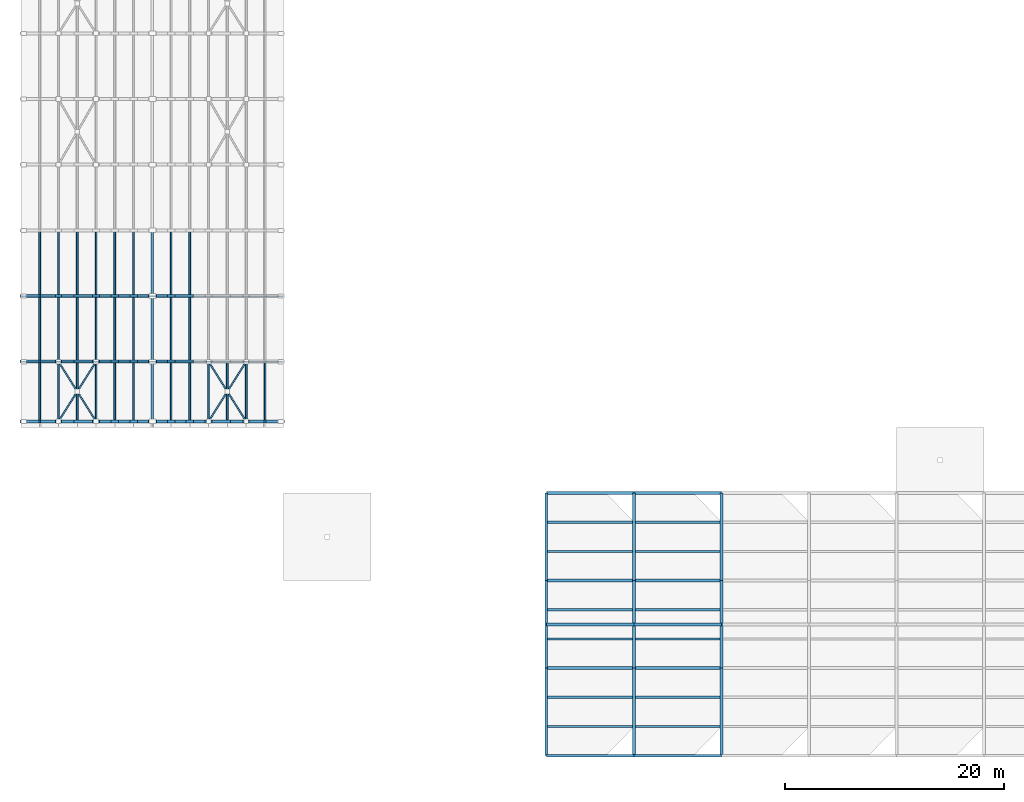
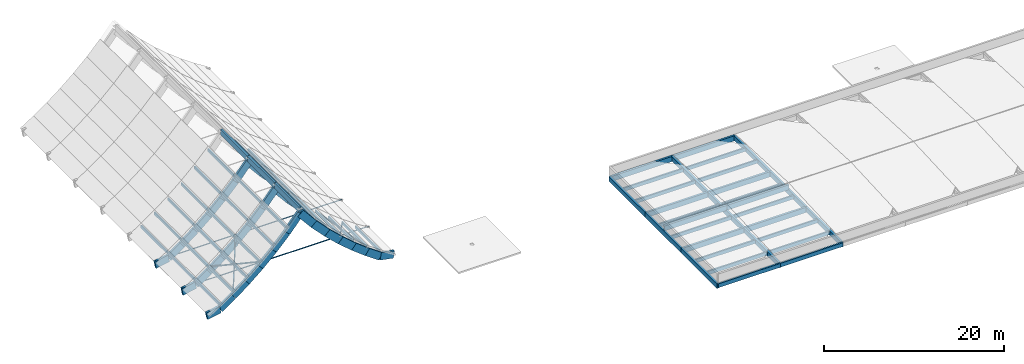
# One storey, part 1 of 7: 68 members, 34 beams.
"""IFC4 building model written with IfcOpenShell, lengths in metres."""

import ifcopenshell
import ifcopenshell.guid

model = None  # the IFC model being written
_history = None  # IfcOwnerHistory: only IFC2X3 demands one
_inside = {}  # id of a spatial element -> (the spatial element, [elements in it])
_under = {}  # id of a project, library or spatial element -> (it, [spatial elements below it])
_declared = {}  # id of a project -> (the project, [libraries it declares])
_typed = {}  # id of a type object -> (the type object, [elements of that type])
_made_of = {}  # id of a material, layer set ... -> (it, [elements and type objects made of it])


def new_model(schema):
    """Start an empty IFC model of exactly this schema.

    Asked for "IFC4X3", IfcOpenShell would pick the latest addendum, in which some entities
    have other attributes; the version numbers below select the first issue.
    IFC2X3 requires an IfcOwnerHistory on every rooted entity: one is made here for all.
    """
    global model, _history
    if schema == "IFC4X3":
        model = ifcopenshell.file(schema_version=(4, 3, 0, 0))
    else:
        model = ifcopenshell.file(schema=schema)
    _inside.clear()
    _under.clear()
    _declared.clear()
    _typed.clear()
    _made_of.clear()
    _history = None
    if model.schema == "IFC2X3":
        org = make("IfcOrganization", Name="unknown")
        user = make(
            "IfcPersonAndOrganization",
            ThePerson=make("IfcPerson", FamilyName="unknown"),
            TheOrganization=org,
        )
        app = make(
            "IfcApplication",
            ApplicationDeveloper=org,
            Version="unknown",
            ApplicationFullName="unknown",
            ApplicationIdentifier="unknown",
        )
        _history = make(
            "IfcOwnerHistory",
            OwningUser=user,
            OwningApplication=app,
            ChangeAction="ADDED",
            CreationDate=0,
        )
    return model


def make(cls, **values):
    """One entity of the class cls with the attributes given. An attribute that is None is left unset."""
    return model.create_entity(
        cls, **{name: value for name, value in values.items() if value is not None}
    )


def rooted(cls, **values):
    """An entity with a GlobalId (a new one), such as an element, a storey or a relation."""
    return make(cls, GlobalId=ifcopenshell.guid.new(), OwnerHistory=_history, **values)


def si_unit(unit_type, name, prefix=None):
    """IfcSIUnit, for example si_unit("LENGTHUNIT", "METRE", prefix="MILLI")."""
    return make("IfcSIUnit", UnitType=unit_type, Prefix=prefix, Name=name)


def assignment(units):
    """IfcUnitAssignment: the units of a project."""
    return None if units is None else make("IfcUnitAssignment", Units=units)


def point(xyz):
    """IfcCartesianPoint."""
    return None if xyz is None else make("IfcCartesianPoint", Coordinates=xyz)


def direction(xyz):
    """IfcDirection."""
    return None if xyz is None else make("IfcDirection", DirectionRatios=xyz)


def frame(location, z_axis=None, x_axis=None):
    """IfcAxis2Placement3D, a coordinate frame: its origin and axes. An axis left out is left unset."""
    return make(
        "IfcAxis2Placement3D",
        Location=point(location),
        Axis=direction(z_axis),
        RefDirection=direction(x_axis),
    )


def frame_2d(location, x_axis=None):
    """IfcAxis2Placement2D, a coordinate frame in the plane: its origin and x axis."""
    return make(
        "IfcAxis2Placement2D", Location=point(location), RefDirection=direction(x_axis)
    )


def origin():
    """The frame at (0, 0, 0) with its axes left unset."""
    return frame((0.0, 0.0, 0.0))


def origin_2d():
    """The frame at (0, 0) in the plane with its x axis left unset."""
    return frame_2d((0.0, 0.0))


def place(relative_to, where):
    """IfcLocalPlacement: puts the frame where relative to a parent placement (None: the world)."""
    return make(
        "IfcLocalPlacement", PlacementRelTo=relative_to, RelativePlacement=where
    )


def context(
    kind, dimensions, precision=None, world=None, true_north=None, identifier=None
):
    """IfcGeometricRepresentationContext, for example the 3D "Model" context."""
    return make(
        "IfcGeometricRepresentationContext",
        ContextIdentifier=identifier,
        ContextType=kind,
        CoordinateSpaceDimension=dimensions,
        Precision=precision,
        WorldCoordinateSystem=world,
        TrueNorth=true_north,
    )


def subcontext(parent, identifier, kind, view, scale=None):
    """IfcGeometricRepresentationSubContext, for example "Body" below "Model"."""
    return make(
        "IfcGeometricRepresentationSubContext",
        ContextIdentifier=identifier,
        ContextType=kind,
        ParentContext=parent,
        TargetScale=scale,
        TargetView=view,
    )


def project(units=None, contexts=None):
    """IfcProject with its units and contexts."""
    return rooted(
        "IfcProject",
        Name="project",
        RepresentationContexts=contexts,
        UnitsInContext=assignment(units),
    )


def spatial(cls, under=None, at=None, **own):
    """A site, building, storey or space (cls), placed at a placement, below another one or the project."""
    s = rooted(cls, ObjectPlacement=at, **own)
    if under is not None:
        _under.setdefault(under.id(), (under, []))[1].append(s)
    return s


def profile(cls, at=None, kind="AREA", **sizes):
    """A parametric profile (cls). Its sizes go by their IFC names, for example OverallWidth=200.0."""
    return make(cls, ProfileType=kind, Position=at, **sizes)


def rectangle(**sizes):
    """IfcRectangleProfileDef."""
    return profile("IfcRectangleProfileDef", **sizes)


def hollow_rectangle(**sizes):
    """IfcRectangleHollowProfileDef."""
    return profile("IfcRectangleHollowProfileDef", **sizes)


def hollow_circle(**sizes):
    """IfcCircleHollowProfileDef."""
    return profile("IfcCircleHollowProfileDef", **sizes)


def extrude(swept, where, along, depth):
    """IfcExtrudedAreaSolid: the profile swept, set in the frame where, extruded along a direction by depth."""
    return make(
        "IfcExtrudedAreaSolid",
        SweptArea=swept,
        Position=where,
        ExtrudedDirection=direction(along),
        Depth=depth,
    )


def shape(context_of_items, identifier, shape_type, items):
    """IfcShapeRepresentation: the items that make up one representation, for example the "Body"."""
    return make(
        "IfcShapeRepresentation",
        ContextOfItems=context_of_items,
        RepresentationIdentifier=identifier,
        RepresentationType=shape_type,
        Items=items,
    )


def material(Name=None, Category=None):
    """IfcMaterial."""
    return make("IfcMaterial", Name=Name, Category=Category)


def material_profile(
    of_material, cross_section, Name=None, Category=None, Priority=None
):
    """IfcMaterialProfile: a cross section and its material."""
    return make(
        "IfcMaterialProfile",
        Name=Name,
        Material=of_material,
        Profile=cross_section,
        Priority=Priority,
        Category=Category,
    )


def profile_set(profiles, Name=None, composite=None):
    """IfcMaterialProfileSet."""
    return make(
        "IfcMaterialProfileSet",
        Name=Name,
        MaterialProfiles=profiles,
        CompositeProfile=composite,
    )


def made_of(thing, what):
    """Note that an element or type object is made of a material, layer set ...; save() writes the relation."""
    if what is not None:
        _made_of.setdefault(what.id(), (what, []))[1].append(thing)
    return thing


def type_object(cls, material=None, **own):
    """A type object (cls), such as IfcWallType, which elements share."""
    return made_of(rooted(cls, **own), material)


def element(
    cls,
    number,
    at=None,
    inside=None,
    cuts=None,
    type_object=None,
    material=None,
    context=None,
    identifier="Body",
    shape_type=None,
    held_by="IfcProductDefinitionShape",
    body=None,
    shapes=None,
    **own,
):
    """One element of the class cls, such as IfcWall. Its Tag is "e" and its number.

    at: its placement. inside: the storey or other place that contains it. cuts: it is an
    opening in that element (IfcRelVoidsElement). A single representation is given by context,
    identifier, shape_type and body (its items); several are given by shapes. held_by: the class
    of the entity that holds the representations. save() writes the other relations.
    """
    e = rooted(cls, Tag="e%d" % number, ObjectPlacement=at, **own)
    if body is not None:
        shapes = [shape(context, identifier, shape_type, body)]
    if shapes is not None:
        e.Representation = make(held_by, Representations=shapes)
    if inside is not None:
        _inside.setdefault(inside.id(), (inside, []))[1].append(e)
    if cuts is not None:
        rooted(
            "IfcRelVoidsElement", RelatingBuildingElement=cuts, RelatedOpeningElement=e
        )
    if type_object is not None:
        _typed.setdefault(type_object.id(), (type_object, []))[1].append(e)
    return made_of(e, material)


def aggregate(whole, parts):
    """IfcRelAggregates: a whole, such as a stair, and the parts it consists of."""
    return rooted("IfcRelAggregates", RelatingObject=whole, RelatedObjects=parts)


def save(model, path):
    """Write the relations noted so far, then the file.

    IfcRelAggregates (storeys below a building ...), IfcRelContainedInSpatialStructure (elements
    in a storey), IfcRelDefinesByType, IfcRelAssociatesMaterial and IfcRelDeclares: one each for
    every whole, place, type object, material and project.
    """
    for whole, parts in _under.values():
        aggregate(whole, parts)
    for where, things in _inside.values():
        rooted(
            "IfcRelContainedInSpatialStructure",
            RelatedElements=things,
            RelatingStructure=where,
        )
    for kind, things in _typed.values():
        rooted("IfcRelDefinesByType", RelatedObjects=things, RelatingType=kind)
    for what, things in _made_of.values():
        rooted("IfcRelAssociatesMaterial", RelatedObjects=things, RelatingMaterial=what)
    for by, libraries in _declared.values():
        rooted("IfcRelDeclares", RelatingContext=by, RelatedDefinitions=libraries)
    model.write(path)


model = new_model("IFC4")

# Units and contexts
model_context = context("Model", 3, precision=1e-05, world=origin(), true_north=direction((0.0, 1.0)))
body_context = subcontext(model_context, "Body", "Model", "MODEL_VIEW")
ifc_project = project(units=[si_unit("LENGTHUNIT", "METRE"), si_unit("AREAUNIT", "SQUARE_METRE"), si_unit("VOLUMEUNIT", "CUBIC_METRE"), si_unit("PLANEANGLEUNIT", "RADIAN"), si_unit("MASSUNIT", "GRAM", prefix="KILO")], contexts=[model_context])

# Site, building, storey
site_placement = place(None, origin())
site = spatial("IfcSite", under=ifc_project, at=site_placement, CompositionType="ELEMENT")
building_placement = place(site_placement, origin())
building = spatial("IfcBuilding", under=site, at=building_placement, Name="Solvane Community Centre", CompositionType="ELEMENT")
storey_placement = place(building_placement, frame((0.0, 0.0, 22.199951171875)))
storey = spatial("IfcBuildingStorey", under=building, at=storey_placement, Name="RF", CompositionType="ELEMENT", Elevation=22.199951171875)

# Beams
ifc_material_1 = material(Name="Glulam GL28h", Category="wood")
ifc_material_profile_1 = material_profile(ifc_material_1, rectangle(XDim=0.27001953125, YDim=0.699951171875, at=origin_2d()), Name="GL28h 270x700")
ifc_profile_set_1 = profile_set([ifc_material_profile_1], Name="Glulam GL28h")
beam_type_1 = type_object("IfcBeamType", Name="Glulam Library Girder 270x700", PredefinedType="USERDEFINED", material=ifc_profile_set_1)
for number, where, z_axis, x_axis, name in (
    (1, (84.0, 14.0, -0.550048828125), (1.0, 0.0, 0.0), (0.0, 1.0, 0.0), "Beam BM-RF-840_140-920_140"),
    (2, (92.0, 14.0, -0.550048828125), (1.0, 0.0, 0.0), (0.0, 1.0, 0.0), "Beam BM-RF-920_140-1000_140"),
    (3, (84.0, 22.0, -0.550048828125), (1.0, 0.0, 0.0), (0.0, 1.0, 0.0), "Beam BM-RF-840_220-920_220"),
    (4, (92.0, 22.0, -0.550048828125), (1.0, 0.0, 0.0), (0.0, 1.0, 0.0), "Beam BM-RF-920_220-1000_220"),
    (5, (84.0, 30.0, -0.550048828125), (1.0, 0.0, 0.0), (0.0, 1.0, 0.0), "Beam BM-RF-840_300-920_300"),
    (6, (92.0, 30.0, -0.550048828125), (1.0, 0.0, 0.0), (0.0, 1.0, 0.0), "Beam BM-RF-920_300-1000_300"),
):
    element("IfcBeam", number, at=place(storey_placement, frame(where, z_axis=z_axis, x_axis=x_axis)), inside=storey, type_object=beam_type_1, Name=name, ObjectType="GIRDER", PredefinedType="USERDEFINED", context=body_context, shape_type="SweptSolid", body=[
        extrude(rectangle(XDim=0.27001953125, YDim=0.699951171875, at=origin_2d()), origin(), (0.0, 0.0, 1.0), 8.0),
    ])
ifc_material_profile_2 = material_profile(ifc_material_1, rectangle(XDim=0.199951171875, YDim=0.47998046875, at=origin_2d()), Name="GL28h 200x480")
ifc_profile_set_2 = profile_set([ifc_material_profile_2], Name="Glulam GL28h")
beam_type_2 = type_object("IfcBeamType", Name="Glulam Medium Joist 200x480", PredefinedType="JOIST", material=ifc_profile_set_2)
for number, where, z_axis, x_axis, name in (
    (7, (84.1298828125, 8.666748046875, -0.43994140625), (1.0, 0.0, 0.0), (0.0, 1.0, 0.0), "Beam BM-RF-841_87-919_87"),
    (8, (84.1298828125, 11.333251953125, -0.43994140625), (1.0, 0.0, 0.0), (0.0, 1.0, 0.0), "Beam BM-RF-841_113-919_113"),
    (9, (84.1298828125, 16.666748046875, -0.43994140625), (1.0, 0.0, 0.0), (0.0, 1.0, 0.0), "Beam BM-RF-841_167-919_167"),
    (10, (84.1298828125, 19.333251953125, -0.43994140625), (1.0, 0.0, 0.0), (0.0, 1.0, 0.0), "Beam BM-RF-841_193-919_193"),
    (11, (84.1298828125, 24.666748046875, -0.43994140625), (1.0, 0.0, 0.0), (0.0, 1.0, 0.0), "Beam BM-RF-841_247-919_247"),
    (12, (84.1298828125, 27.333251953125, -0.43994140625), (1.0, 0.0, 0.0), (0.0, 1.0, 0.0), "Beam BM-RF-841_273-919_273"),
    (13, (92.1298828125, 8.666748046875, -0.43994140625), (1.0, 0.0, 0.0), (0.0, 1.0, 0.0), "Beam BM-RF-921_87-999_87"),
    (14, (92.1298828125, 11.333251953125, -0.43994140625), (1.0, 0.0, 0.0), (0.0, 1.0, 0.0), "Beam BM-RF-921_113-999_113"),
    (15, (92.1298828125, 16.666748046875, -0.43994140625), (1.0, 0.0, 0.0), (0.0, 1.0, 0.0), "Beam BM-RF-921_167-999_167"),
    (16, (92.1298828125, 19.333251953125, -0.43994140625), (1.0, 0.0, 0.0), (0.0, 1.0, 0.0), "Beam BM-RF-921_193-999_193"),
    (17, (92.1298828125, 24.666748046875, -0.43994140625), (1.0, 0.0, 0.0), (0.0, 1.0, 0.0), "Beam BM-RF-921_247-999_247"),
    (18, (92.1298828125, 27.333251953125, -0.43994140625), (1.0, 0.0, 0.0), (0.0, 1.0, 0.0), "Beam BM-RF-921_273-999_273"),
):
    element("IfcBeam", number, at=place(storey_placement, frame(where, z_axis=z_axis, x_axis=x_axis)), inside=storey, type_object=beam_type_2, Name=name, PredefinedType="JOIST", context=body_context, shape_type="SweptSolid", body=[
        extrude(rectangle(XDim=0.199951171875, YDim=0.47998046875, at=origin_2d()), origin(), (0.0, 0.0, 1.0), 7.740234375),
    ])
ifc_material_profile_3 = material_profile(ifc_material_1, rectangle(XDim=0.260009765625, YDim=0.679931640625, at=origin_2d()), Name="GL28h 260x680")
ifc_profile_set_3 = profile_set([ifc_material_profile_3], Name="Glulam GL28h")
beam_type_3 = type_object("IfcBeamType", Name="Glulam Primary Girder 260x680", PredefinedType="USERDEFINED", material=ifc_profile_set_3)
for number, where, z_axis, x_axis, name in (
    (19, (84.0, 18.0, 0.06005859375), (1.0, 0.0, 0.0), (0.0, 1.0, 0.0), "Beam BM-RF-840_180-920_180"),
    (20, (92.0, 18.0, 0.06005859375), (1.0, 0.0, 0.0), (0.0, 1.0, 0.0), "Beam BM-RF-920_180-1000_180"),
):
    element("IfcBeam", number, at=place(storey_placement, frame(where, z_axis=z_axis, x_axis=x_axis)), inside=storey, type_object=beam_type_3, Name=name, ObjectType="GIRDER", PredefinedType="USERDEFINED", context=body_context, shape_type="SweptSolid", body=[
        extrude(rectangle(XDim=0.260009765625, YDim=0.679931640625, at=origin_2d()), origin(), (0.0, 0.0, 1.0), 8.0),
    ])
ifc_material_profile_4 = material_profile(ifc_material_1, rectangle(XDim=0.199951171875, YDim=0.52001953125, at=origin_2d()), Name="GL28h 200x520")
ifc_profile_set_4 = profile_set([ifc_material_profile_4], Name="Glulam GL28h")
beam_type_4 = type_object("IfcBeamType", Name="Glulam Spandrel Beam 200x520", PredefinedType="SPANDREL", material=ifc_profile_set_4)
for number, where, z_axis, x_axis, name in (
    (21, (84.0, 6.0, -0.4599609375), (1.0, 0.0, 0.0), (0.0, 1.0, 0.0), "Beam BM-RF-840_60-920_60"),
    (22, (92.0, 6.0, -0.4599609375), (1.0, 0.0, 0.0), (0.0, 1.0, 0.0), "Beam BM-RF-920_60-1000_60"),
):
    element("IfcBeam", number, at=place(storey_placement, frame(where, z_axis=z_axis, x_axis=x_axis)), inside=storey, type_object=beam_type_4, Name=name, PredefinedType="SPANDREL", context=body_context, shape_type="SweptSolid", body=[
        extrude(rectangle(XDim=0.199951171875, YDim=0.52001953125, at=origin_2d()), origin(), (0.0, 0.0, 1.0), 8.0),
    ])
ifc_material_profile_5 = material_profile(ifc_material_1, rectangle(XDim=0.260009765625, YDim=0.639892578125, at=origin_2d()), Name="GL28h 260x640")
ifc_profile_set_5 = profile_set([ifc_material_profile_5], Name="Glulam GL28h")
beam_type_5 = type_object("IfcBeamType", Name="Glulam Studio Beam 260x640", PredefinedType="BEAM", material=ifc_profile_set_5)
for number, where, z_axis, x_axis, name in (
    (23, (84.0, 6.0, -0.52001953125), (0.0, 1.0, 0.0), (-1.0, 0.0, 0.0), "Beam BM-RF-840_60-840_140"),
    (24, (84.0, 14.0, -0.52001953125), (0.0, 1.0, 0.0), (-1.0, 0.0, 0.0), "Beam BM-RF-840_140-840_220"),
    (25, (84.0, 22.0, -0.52001953125), (0.0, 1.0, 0.0), (-1.0, 0.0, 0.0), "Beam BM-RF-840_220-840_300"),
    (26, (92.0, 6.0, -0.52001953125), (0.0, 1.0, 0.0), (-1.0, 0.0, 0.0), "Beam BM-RF-920_60-920_140"),
    (27, (92.0, 14.0, -0.52001953125), (0.0, 1.0, 0.0), (-1.0, 0.0, 0.0), "Beam BM-RF-920_140-920_220"),
    (28, (92.0, 22.0, -0.52001953125), (0.0, 1.0, 0.0), (-1.0, 0.0, 0.0), "Beam BM-RF-920_220-920_300"),
    (29, (100.0, 6.0, -0.52001953125), (0.0, 1.0, 0.0), (-1.0, 0.0, 0.0), "Beam BM-RF-1000_60-1000_140"),
    (30, (100.0, 14.0, -0.52001953125), (0.0, 1.0, 0.0), (-1.0, 0.0, 0.0), "Beam BM-RF-1000_140-1000_220"),
    (31, (100.0, 22.0, -0.52001953125), (0.0, 1.0, 0.0), (-1.0, 0.0, 0.0), "Beam BM-RF-1000_220-1000_300"),
):
    element("IfcBeam", number, at=place(storey_placement, frame(where, z_axis=z_axis, x_axis=x_axis)), inside=storey, type_object=beam_type_5, Name=name, PredefinedType="BEAM", context=body_context, shape_type="SweptSolid", body=[
        extrude(rectangle(XDim=0.260009765625, YDim=0.639892578125, at=origin_2d()), origin(), (0.0, 0.0, 1.0), 8.0),
    ])
ifc_material_2 = material(Name="Glulam GL32h", Category="wood")
ifc_material_profile_6 = material_profile(ifc_material_2, rectangle(XDim=0.260009765625, YDim=0.760009765625, at=origin_2d()), Name="GL32h 260x760")
ifc_profile_set_6 = profile_set([ifc_material_profile_6], Name="Glulam GL32h")
beam_type_6 = type_object("IfcBeamType", Name="Glulam Vault Apex Ridge 260x760", PredefinedType="USERDEFINED", material=ifc_profile_set_6)
beam_placement = place(storey_placement, frame((48.0, 36.550048828125, 3.901123046875), z_axis=(0.0, 1.0, 0.0), x_axis=(-1.0, 0.0, 0.0)))
element("IfcBeam", 32, at=beam_placement, inside=storey, type_object=beam_type_6, Name="Beam BM-RF-480_366-480_420", ObjectType="GIRDER", PredefinedType="USERDEFINED", context=body_context, shape_type="SweptSolid", body=[
    extrude(rectangle(XDim=0.260009765625, YDim=0.760009765625, at=origin_2d()), origin(), (0.0, 0.0, 1.0), 5.449951171875),
])
for number, where, z_axis, x_axis, name in (
    (33, (48.0, 42.0, 3.901123046875), (0.0, 1.0, 0.0), (-1.0, 0.0, 0.0), "Beam BM-RF-480_420-480_480"),
    (34, (48.0, 48.0, 3.901123046875), (0.0, 1.0, 0.0), (-1.0, 0.0, 0.0), "Beam BM-RF-480_480-480_540"),
):
    element("IfcBeam", number, at=place(storey_placement, frame(where, z_axis=z_axis, x_axis=x_axis)), inside=storey, type_object=beam_type_6, Name=name, ObjectType="GIRDER", PredefinedType="USERDEFINED", context=body_context, shape_type="SweptSolid", body=[
        extrude(rectangle(XDim=0.260009765625, YDim=0.760009765625, at=origin_2d()), origin(), (0.0, 0.0, 1.0), 6.0),
    ])

# Members
ifc_material_profile_7 = material_profile(ifc_material_2, rectangle(XDim=0.280029296875, YDim=0.9599609375, at=origin_2d()), Name="GL32h 280x960")
ifc_profile_set_7 = profile_set([ifc_material_profile_7], Name="Glulam GL32h")
member_type_1 = type_object("IfcMemberType", Name="Main Hall Concave Vault Arch Rib 280x960", PredefinedType="USERDEFINED", material=ifc_profile_set_7)
member_1_placement = place(storey_placement, frame((36.0, 36.550048828125, -6.300048828125), z_axis=(0.982352033108, 0.0, 0.187041393943), x_axis=(0.0, 1.0, 0.0)))
element("IfcMember", 35, at=member_1_placement, inside=storey, type_object=member_type_1, Name="Member MEM-RF-0001", ObjectType="ARCH_SEGMENT", PredefinedType="USERDEFINED", context=body_context, shape_type="SweptSolid", body=[
    extrude(rectangle(XDim=0.280029296875, YDim=0.9599609375, at=origin_2d()), origin(), (0.0, 0.0, 1.0), 1.7451171875),
])
member_2_placement = place(storey_placement, frame((37.71435546875, 36.550048828125, -5.9736328125), z_axis=(0.819489561323, 0.0, 0.57309410997), x_axis=(0.0, 1.0, 0.0)))
element("IfcMember", 36, at=member_2_placement, inside=storey, type_object=member_type_1, Name="Member MEM-RF-0002", ObjectType="ARCH_SEGMENT", PredefinedType="USERDEFINED", context=body_context, shape_type="SweptSolid", body=[
    extrude(rectangle(XDim=0.280029296875, YDim=0.9599609375, at=origin_2d()), origin(), (0.0, 0.0, 1.0), 2.091796875),
])
member_3_placement = place(storey_placement, frame((39.428466796875, 36.550048828125, -4.77490234375), z_axis=(0.791780697504, 0.0, 0.610805473993), x_axis=(0.0, 1.0, 0.0)))
element("IfcMember", 37, at=member_3_placement, inside=storey, type_object=member_type_1, Name="Member MEM-RF-0003", ObjectType="ARCH_SEGMENT", PredefinedType="USERDEFINED", context=body_context, shape_type="SweptSolid", body=[
    extrude(rectangle(XDim=0.280029296875, YDim=0.9599609375, at=origin_2d()), origin(), (0.0, 0.0, 1.0), 2.165283203125),
])
member_4_placement = place(storey_placement, frame((41.142822265625, 36.550048828125, -3.452392578125), z_axis=(0.761120350915, 0.0, 0.648610677852), x_axis=(0.0, 1.0, 0.0)))
element("IfcMember", 38, at=member_4_placement, inside=storey, type_object=member_type_1, Name="Member MEM-RF-0004", ObjectType="ARCH_SEGMENT", PredefinedType="USERDEFINED", context=body_context, shape_type="SweptSolid", body=[
    extrude(rectangle(XDim=0.280029296875, YDim=0.9599609375, at=origin_2d()), origin(), (0.0, 0.0, 1.0), 2.25244140625),
])
member_5_placement = place(storey_placement, frame((42.857177734375, 36.550048828125, -1.991455078125), z_axis=(0.727369263195, 0.0, 0.686246278648), x_axis=(0.0, 1.0, 0.0)))
element("IfcMember", 39, at=member_5_placement, inside=storey, type_object=member_type_1, Name="Member MEM-RF-0005", ObjectType="ARCH_SEGMENT", PredefinedType="USERDEFINED", context=body_context, shape_type="SweptSolid", body=[
    extrude(rectangle(XDim=0.280029296875, YDim=0.9599609375, at=origin_2d()), origin(), (0.0, 0.0, 1.0), 2.35693359375),
])
member_6_placement = place(storey_placement, frame((44.571533203125, 36.550048828125, -0.3740234375), z_axis=(0.689706682626, 0.0, 0.724088870195), x_axis=(0.0, 1.0, 0.0)))
element("IfcMember", 40, at=member_6_placement, inside=storey, type_object=member_type_1, Name="Member MEM-RF-0006", ObjectType="ARCH_SEGMENT", PredefinedType="USERDEFINED", context=body_context, shape_type="SweptSolid", body=[
    extrude(rectangle(XDim=0.280029296875, YDim=0.9599609375, at=origin_2d()), origin(), (0.0, 0.0, 1.0), 2.4853515625),
])
for number, where, z_axis, x_axis, name in (
    (41, (46.28564453125, 36.550048828125, 1.425537109375), (0.643260831672, 0.0, 0.765647113517), (0.0, 1.0, 0.0), "Member MEM-RF-0007"),
    (42, (48.0, 36.550048828125, 3.466064453125), (0.643260831672, 0.0, -0.765647113517), (0.0, 1.0, 0.0), "Member MEM-RF-0008"),
):
    element("IfcMember", number, at=place(storey_placement, frame(where, z_axis=z_axis, x_axis=x_axis)), inside=storey, type_object=member_type_1, Name=name, ObjectType="ARCH_SEGMENT", PredefinedType="USERDEFINED", context=body_context, shape_type="SweptSolid", body=[
        extrude(rectangle(XDim=0.280029296875, YDim=0.9599609375, at=origin_2d()), origin(), (0.0, 0.0, 1.0), 2.6650390625),
    ])
member_7_placement = place(storey_placement, frame((49.71435546875, 36.550048828125, 1.425537109375), z_axis=(0.689706682626, 0.0, -0.724088870195), x_axis=(0.0, 1.0, 0.0)))
element("IfcMember", 43, at=member_7_placement, inside=storey, type_object=member_type_1, Name="Member MEM-RF-0009", ObjectType="ARCH_SEGMENT", PredefinedType="USERDEFINED", context=body_context, shape_type="SweptSolid", body=[
    extrude(rectangle(XDim=0.280029296875, YDim=0.9599609375, at=origin_2d()), origin(), (0.0, 0.0, 1.0), 2.4853515625),
])
member_8_placement = place(storey_placement, frame((51.428466796875, 36.550048828125, -0.3740234375), z_axis=(0.727369263195, 0.0, -0.686246278648), x_axis=(0.0, 1.0, 0.0)))
element("IfcMember", 44, at=member_8_placement, inside=storey, type_object=member_type_1, Name="Member MEM-RF-0010", ObjectType="ARCH_SEGMENT", PredefinedType="USERDEFINED", context=body_context, shape_type="SweptSolid", body=[
    extrude(rectangle(XDim=0.280029296875, YDim=0.9599609375, at=origin_2d()), origin(), (0.0, 0.0, 1.0), 2.35693359375),
])
member_9_placement = place(storey_placement, frame((53.142822265625, 36.550048828125, -1.991455078125), z_axis=(0.761120350915, 0.0, -0.648610677852), x_axis=(0.0, 1.0, 0.0)))
element("IfcMember", 45, at=member_9_placement, inside=storey, type_object=member_type_1, Name="Member MEM-RF-0011", ObjectType="ARCH_SEGMENT", PredefinedType="USERDEFINED", context=body_context, shape_type="SweptSolid", body=[
    extrude(rectangle(XDim=0.280029296875, YDim=0.9599609375, at=origin_2d()), origin(), (0.0, 0.0, 1.0), 2.25244140625),
])
member_10_placement = place(storey_placement, frame((54.857177734375, 36.550048828125, -3.452392578125), z_axis=(0.791780697504, 0.0, -0.610805473993), x_axis=(0.0, 1.0, 0.0)))
element("IfcMember", 46, at=member_10_placement, inside=storey, type_object=member_type_1, Name="Member MEM-RF-0012", ObjectType="ARCH_SEGMENT", PredefinedType="USERDEFINED", context=body_context, shape_type="SweptSolid", body=[
    extrude(rectangle(XDim=0.280029296875, YDim=0.9599609375, at=origin_2d()), origin(), (0.0, 0.0, 1.0), 2.165283203125),
])
member_11_placement = place(storey_placement, frame((56.571533203125, 36.550048828125, -4.77490234375), z_axis=(0.819489561323, 0.0, -0.57309410997), x_axis=(0.0, 1.0, 0.0)))
element("IfcMember", 47, at=member_11_placement, inside=storey, type_object=member_type_1, Name="Member MEM-RF-0013", ObjectType="ARCH_SEGMENT", PredefinedType="USERDEFINED", context=body_context, shape_type="SweptSolid", body=[
    extrude(rectangle(XDim=0.280029296875, YDim=0.9599609375, at=origin_2d()), origin(), (0.0, 0.0, 1.0), 2.091796875),
])
for number, where, z_axis, x_axis, name in (
    (48, (58.28564453125, 36.550048828125, -5.9736328125), (0.982352033108, 0.0, -0.187041393943), (0.0, 1.0, 0.0), "Member MEM-RF-0014"),
    (49, (36.0, 42.0, -6.300048828125), (0.982352033108, 0.0, 0.187041393943), (0.0, 1.0, 0.0), "Member MEM-RF-0015"),
):
    element("IfcMember", number, at=place(storey_placement, frame(where, z_axis=z_axis, x_axis=x_axis)), inside=storey, type_object=member_type_1, Name=name, ObjectType="ARCH_SEGMENT", PredefinedType="USERDEFINED", context=body_context, shape_type="SweptSolid", body=[
        extrude(rectangle(XDim=0.280029296875, YDim=0.9599609375, at=origin_2d()), origin(), (0.0, 0.0, 1.0), 1.7451171875),
    ])
member_12_placement = place(storey_placement, frame((37.71435546875, 42.0, -5.9736328125), z_axis=(0.819489561323, 0.0, 0.57309410997), x_axis=(0.0, 1.0, 0.0)))
element("IfcMember", 50, at=member_12_placement, inside=storey, type_object=member_type_1, Name="Member MEM-RF-0016", ObjectType="ARCH_SEGMENT", PredefinedType="USERDEFINED", context=body_context, shape_type="SweptSolid", body=[
    extrude(rectangle(XDim=0.280029296875, YDim=0.9599609375, at=origin_2d()), origin(), (0.0, 0.0, 1.0), 2.091796875),
])
member_13_placement = place(storey_placement, frame((39.428466796875, 42.0, -4.77490234375), z_axis=(0.791780697504, 0.0, 0.610805473993), x_axis=(0.0, 1.0, 0.0)))
element("IfcMember", 51, at=member_13_placement, inside=storey, type_object=member_type_1, Name="Member MEM-RF-0017", ObjectType="ARCH_SEGMENT", PredefinedType="USERDEFINED", context=body_context, shape_type="SweptSolid", body=[
    extrude(rectangle(XDim=0.280029296875, YDim=0.9599609375, at=origin_2d()), origin(), (0.0, 0.0, 1.0), 2.165283203125),
])
member_14_placement = place(storey_placement, frame((41.142822265625, 42.0, -3.452392578125), z_axis=(0.761120350915, 0.0, 0.648610677852), x_axis=(0.0, 1.0, 0.0)))
element("IfcMember", 52, at=member_14_placement, inside=storey, type_object=member_type_1, Name="Member MEM-RF-0018", ObjectType="ARCH_SEGMENT", PredefinedType="USERDEFINED", context=body_context, shape_type="SweptSolid", body=[
    extrude(rectangle(XDim=0.280029296875, YDim=0.9599609375, at=origin_2d()), origin(), (0.0, 0.0, 1.0), 2.25244140625),
])
member_15_placement = place(storey_placement, frame((42.857177734375, 42.0, -1.991455078125), z_axis=(0.727369263195, 0.0, 0.686246278648), x_axis=(0.0, 1.0, 0.0)))
element("IfcMember", 53, at=member_15_placement, inside=storey, type_object=member_type_1, Name="Member MEM-RF-0019", ObjectType="ARCH_SEGMENT", PredefinedType="USERDEFINED", context=body_context, shape_type="SweptSolid", body=[
    extrude(rectangle(XDim=0.280029296875, YDim=0.9599609375, at=origin_2d()), origin(), (0.0, 0.0, 1.0), 2.35693359375),
])
member_16_placement = place(storey_placement, frame((44.571533203125, 42.0, -0.3740234375), z_axis=(0.689706682626, 0.0, 0.724088870195), x_axis=(0.0, 1.0, 0.0)))
element("IfcMember", 54, at=member_16_placement, inside=storey, type_object=member_type_1, Name="Member MEM-RF-0020", ObjectType="ARCH_SEGMENT", PredefinedType="USERDEFINED", context=body_context, shape_type="SweptSolid", body=[
    extrude(rectangle(XDim=0.280029296875, YDim=0.9599609375, at=origin_2d()), origin(), (0.0, 0.0, 1.0), 2.4853515625),
])
for number, where, z_axis, x_axis, name in (
    (55, (46.28564453125, 42.0, 1.425537109375), (0.643260831672, 0.0, 0.765647113517), (0.0, 1.0, 0.0), "Member MEM-RF-0021"),
    (56, (48.0, 42.0, 3.466064453125), (0.643260831672, 0.0, -0.765647113517), (0.0, 1.0, 0.0), "Member MEM-RF-0022"),
):
    element("IfcMember", number, at=place(storey_placement, frame(where, z_axis=z_axis, x_axis=x_axis)), inside=storey, type_object=member_type_1, Name=name, ObjectType="ARCH_SEGMENT", PredefinedType="USERDEFINED", context=body_context, shape_type="SweptSolid", body=[
        extrude(rectangle(XDim=0.280029296875, YDim=0.9599609375, at=origin_2d()), origin(), (0.0, 0.0, 1.0), 2.6650390625),
    ])
member_17_placement = place(storey_placement, frame((49.71435546875, 42.0, 1.425537109375), z_axis=(0.689706682626, 0.0, -0.724088870195), x_axis=(0.0, 1.0, 0.0)))
element("IfcMember", 57, at=member_17_placement, inside=storey, type_object=member_type_1, Name="Member MEM-RF-0023", ObjectType="ARCH_SEGMENT", PredefinedType="USERDEFINED", context=body_context, shape_type="SweptSolid", body=[
    extrude(rectangle(XDim=0.280029296875, YDim=0.9599609375, at=origin_2d()), origin(), (0.0, 0.0, 1.0), 2.4853515625),
])
member_18_placement = place(storey_placement, frame((36.0, 48.0, -6.300048828125), z_axis=(0.982352033108, 0.0, 0.187041393943), x_axis=(0.0, 1.0, 0.0)))
element("IfcMember", 58, at=member_18_placement, inside=storey, type_object=member_type_1, Name="Member MEM-RF-0030", ObjectType="ARCH_SEGMENT", PredefinedType="USERDEFINED", context=body_context, shape_type="SweptSolid", body=[
    extrude(rectangle(XDim=0.280029296875, YDim=0.9599609375, at=origin_2d()), origin(), (0.0, 0.0, 1.0), 1.7451171875),
])
member_19_placement = place(storey_placement, frame((37.71435546875, 48.0, -5.9736328125), z_axis=(0.819489561323, 0.0, 0.57309410997), x_axis=(0.0, 1.0, 0.0)))
element("IfcMember", 59, at=member_19_placement, inside=storey, type_object=member_type_1, Name="Member MEM-RF-0031", ObjectType="ARCH_SEGMENT", PredefinedType="USERDEFINED", context=body_context, shape_type="SweptSolid", body=[
    extrude(rectangle(XDim=0.280029296875, YDim=0.9599609375, at=origin_2d()), origin(), (0.0, 0.0, 1.0), 2.091796875),
])
member_20_placement = place(storey_placement, frame((39.428466796875, 48.0, -4.77490234375), z_axis=(0.791780697504, 0.0, 0.610805473993), x_axis=(0.0, 1.0, 0.0)))
element("IfcMember", 60, at=member_20_placement, inside=storey, type_object=member_type_1, Name="Member MEM-RF-0032", ObjectType="ARCH_SEGMENT", PredefinedType="USERDEFINED", context=body_context, shape_type="SweptSolid", body=[
    extrude(rectangle(XDim=0.280029296875, YDim=0.9599609375, at=origin_2d()), origin(), (0.0, 0.0, 1.0), 2.165283203125),
])
member_21_placement = place(storey_placement, frame((41.142822265625, 48.0, -3.452392578125), z_axis=(0.761120350915, 0.0, 0.648610677852), x_axis=(0.0, 1.0, 0.0)))
element("IfcMember", 61, at=member_21_placement, inside=storey, type_object=member_type_1, Name="Member MEM-RF-0033", ObjectType="ARCH_SEGMENT", PredefinedType="USERDEFINED", context=body_context, shape_type="SweptSolid", body=[
    extrude(rectangle(XDim=0.280029296875, YDim=0.9599609375, at=origin_2d()), origin(), (0.0, 0.0, 1.0), 2.25244140625),
])
member_22_placement = place(storey_placement, frame((42.857177734375, 48.0, -1.991455078125), z_axis=(0.727369263195, 0.0, 0.686246278648), x_axis=(0.0, 1.0, 0.0)))
element("IfcMember", 62, at=member_22_placement, inside=storey, type_object=member_type_1, Name="Member MEM-RF-0034", ObjectType="ARCH_SEGMENT", PredefinedType="USERDEFINED", context=body_context, shape_type="SweptSolid", body=[
    extrude(rectangle(XDim=0.280029296875, YDim=0.9599609375, at=origin_2d()), origin(), (0.0, 0.0, 1.0), 2.35693359375),
])
member_23_placement = place(storey_placement, frame((44.571533203125, 48.0, -0.3740234375), z_axis=(0.689706682626, 0.0, 0.724088870195), x_axis=(0.0, 1.0, 0.0)))
element("IfcMember", 63, at=member_23_placement, inside=storey, type_object=member_type_1, Name="Member MEM-RF-0035", ObjectType="ARCH_SEGMENT", PredefinedType="USERDEFINED", context=body_context, shape_type="SweptSolid", body=[
    extrude(rectangle(XDim=0.280029296875, YDim=0.9599609375, at=origin_2d()), origin(), (0.0, 0.0, 1.0), 2.4853515625),
])
for number, where, z_axis, x_axis, name in (
    (64, (46.28564453125, 48.0, 1.425537109375), (0.643260831672, 0.0, 0.765647113517), (0.0, 1.0, 0.0), "Member MEM-RF-0036"),
    (65, (48.0, 48.0, 3.466064453125), (0.643260831672, 0.0, -0.765647113517), (0.0, 1.0, 0.0), "Member MEM-RF-0037"),
):
    element("IfcMember", number, at=place(storey_placement, frame(where, z_axis=z_axis, x_axis=x_axis)), inside=storey, type_object=member_type_1, Name=name, ObjectType="ARCH_SEGMENT", PredefinedType="USERDEFINED", context=body_context, shape_type="SweptSolid", body=[
        extrude(rectangle(XDim=0.280029296875, YDim=0.9599609375, at=origin_2d()), origin(), (0.0, 0.0, 1.0), 2.6650390625),
    ])
member_24_placement = place(storey_placement, frame((49.71435546875, 48.0, 1.425537109375), z_axis=(0.689706682626, 0.0, -0.724088870195), x_axis=(0.0, 1.0, 0.0)))
element("IfcMember", 66, at=member_24_placement, inside=storey, type_object=member_type_1, Name="Member MEM-RF-0038", ObjectType="ARCH_SEGMENT", PredefinedType="USERDEFINED", context=body_context, shape_type="SweptSolid", body=[
    extrude(rectangle(XDim=0.280029296875, YDim=0.9599609375, at=origin_2d()), origin(), (0.0, 0.0, 1.0), 2.4853515625),
])
ifc_material_profile_8 = material_profile(ifc_material_1, rectangle(XDim=0.159912109375, YDim=0.360107421875, at=origin_2d()), Name="GL28h 160x360")
ifc_profile_set_8 = profile_set([ifc_material_profile_8], Name="Glulam GL28h")
member_type_2 = type_object("IfcMemberType", Name="Main Hall Vault Purlin 160x360", PredefinedType="PURLIN", material=ifc_profile_set_8)
for number, where, z_axis, x_axis, name in (
    (67, (37.71435546875, 36.550048828125, -5.338623046875), (0.0, 1.0, 0.0), (-1.0, 0.0, 0.0), "Member MEM-RF-0119"),
    (68, (39.428466796875, 36.550048828125, -4.139892578125), (0.0, 1.0, 0.0), (-1.0, 0.0, 0.0), "Member MEM-RF-0120"),
    (69, (41.142822265625, 36.550048828125, -2.8173828125), (0.0, 1.0, 0.0), (-1.0, 0.0, 0.0), "Member MEM-RF-0121"),
    (70, (42.857177734375, 36.550048828125, -1.3564453125), (0.0, 1.0, 0.0), (-1.0, 0.0, 0.0), "Member MEM-RF-0122"),
    (71, (44.571533203125, 36.550048828125, 0.260986328125), (0.0, 1.0, 0.0), (-1.0, 0.0, 0.0), "Member MEM-RF-0123"),
    (72, (46.28564453125, 36.550048828125, 2.060546875), (0.0, 1.0, 0.0), (-1.0, 0.0, 0.0), "Member MEM-RF-0124"),
    (73, (49.71435546875, 36.550048828125, 2.060546875), (0.0, 1.0, 0.0), (-1.0, 0.0, 0.0), "Member MEM-RF-0125"),
    (74, (51.428466796875, 36.550048828125, 0.260986328125), (0.0, 1.0, 0.0), (-1.0, 0.0, 0.0), "Member MEM-RF-0126"),
    (75, (53.142822265625, 36.550048828125, -1.3564453125), (0.0, 1.0, 0.0), (-1.0, 0.0, 0.0), "Member MEM-RF-0127"),
    (76, (54.857177734375, 36.550048828125, -2.8173828125), (0.0, 1.0, 0.0), (-1.0, 0.0, 0.0), "Member MEM-RF-0128"),
    (77, (56.571533203125, 36.550048828125, -4.139892578125), (0.0, 1.0, 0.0), (-1.0, 0.0, 0.0), "Member MEM-RF-0129"),
    (78, (58.28564453125, 36.550048828125, -5.338623046875), (0.0, 1.0, 0.0), (-1.0, 0.0, 0.0), "Member MEM-RF-0130"),
):
    element("IfcMember", number, at=place(storey_placement, frame(where, z_axis=z_axis, x_axis=x_axis)), inside=storey, type_object=member_type_2, Name=name, PredefinedType="PURLIN", context=body_context, shape_type="SweptSolid", body=[
        extrude(rectangle(XDim=0.159912109375, YDim=0.360107421875, at=origin_2d()), origin(), (0.0, 0.0, 1.0), 5.449951171875),
    ])
for number, where, z_axis, x_axis, name in (
    (79, (37.71435546875, 42.0, -5.338623046875), (0.0, 1.0, 0.0), (-1.0, 0.0, 0.0), "Member MEM-RF-0135"),
    (80, (39.428466796875, 42.0, -4.139892578125), (0.0, 1.0, 0.0), (-1.0, 0.0, 0.0), "Member MEM-RF-0136"),
    (81, (41.142822265625, 42.0, -2.8173828125), (0.0, 1.0, 0.0), (-1.0, 0.0, 0.0), "Member MEM-RF-0137"),
    (82, (42.857177734375, 42.0, -1.3564453125), (0.0, 1.0, 0.0), (-1.0, 0.0, 0.0), "Member MEM-RF-0138"),
    (83, (44.571533203125, 42.0, 0.260986328125), (0.0, 1.0, 0.0), (-1.0, 0.0, 0.0), "Member MEM-RF-0139"),
    (84, (46.28564453125, 42.0, 2.060546875), (0.0, 1.0, 0.0), (-1.0, 0.0, 0.0), "Member MEM-RF-0140"),
    (85, (49.71435546875, 42.0, 2.060546875), (0.0, 1.0, 0.0), (-1.0, 0.0, 0.0), "Member MEM-RF-0141"),
    (86, (51.428466796875, 42.0, 0.260986328125), (0.0, 1.0, 0.0), (-1.0, 0.0, 0.0), "Member MEM-RF-0142"),
    (87, (37.71435546875, 48.0, -5.338623046875), (0.0, 1.0, 0.0), (-1.0, 0.0, 0.0), "Member MEM-RF-0147"),
    (88, (39.428466796875, 48.0, -4.139892578125), (0.0, 1.0, 0.0), (-1.0, 0.0, 0.0), "Member MEM-RF-0148"),
    (89, (41.142822265625, 48.0, -2.8173828125), (0.0, 1.0, 0.0), (-1.0, 0.0, 0.0), "Member MEM-RF-0149"),
    (90, (42.857177734375, 48.0, -1.3564453125), (0.0, 1.0, 0.0), (-1.0, 0.0, 0.0), "Member MEM-RF-0150"),
    (91, (44.571533203125, 48.0, 0.260986328125), (0.0, 1.0, 0.0), (-1.0, 0.0, 0.0), "Member MEM-RF-0151"),
    (92, (46.28564453125, 48.0, 2.060546875), (0.0, 1.0, 0.0), (-1.0, 0.0, 0.0), "Member MEM-RF-0152"),
    (93, (49.71435546875, 48.0, 2.060546875), (0.0, 1.0, 0.0), (-1.0, 0.0, 0.0), "Member MEM-RF-0153"),
    (94, (51.428466796875, 48.0, 0.260986328125), (0.0, 1.0, 0.0), (-1.0, 0.0, 0.0), "Member MEM-RF-0154"),
):
    element("IfcMember", number, at=place(storey_placement, frame(where, z_axis=z_axis, x_axis=x_axis)), inside=storey, type_object=member_type_2, Name=name, PredefinedType="PURLIN", context=body_context, shape_type="SweptSolid", body=[
        extrude(rectangle(XDim=0.159912109375, YDim=0.360107421875, at=origin_2d()), origin(), (0.0, 0.0, 1.0), 6.0),
    ])
ifc_material_3 = material(Name="Steel ASTM A572 Grade 50", Category="steel")
ifc_material_profile_9 = material_profile(ifc_material_3, hollow_circle(Radius=0.06982421875, WallThickness=0.008056640625, at=origin_2d()), Name="CHS 139.7x8.0")
ifc_profile_set_9 = profile_set([ifc_material_profile_9], Name="Steel ASTM A572 Grade 50")
member_type_3 = type_object("IfcMemberType", Name="Main Vault Tension Tie Rod CHS140", PredefinedType="CHORD", material=ifc_profile_set_9)
for number, where, z_axis, x_axis, name in (
    (95, (36.0400390625, 42.0, -5.849853515625), (1.0, 0.0, 0.0), (0.0, 1.0, 0.0), "Member MEM-RF-0029"),
    (96, (36.0400390625, 48.0, -5.849853515625), (1.0, 0.0, 0.0), (0.0, 1.0, 0.0), "Member MEM-RF-0044"),
):
    element("IfcMember", number, at=place(storey_placement, frame(where, z_axis=z_axis, x_axis=x_axis)), inside=storey, type_object=member_type_3, Name=name, PredefinedType="CHORD", context=body_context, shape_type="SweptSolid", body=[
        extrude(hollow_circle(Radius=0.06982421875, WallThickness=0.008056640625, at=origin_2d()), origin(), (0.0, 0.0, 1.0), 23.919921875),
    ])
ifc_material_profile_10 = material_profile(ifc_material_3, hollow_rectangle(XDim=0.15234375, YDim=0.15234375, WallThickness=0.009521484375, InnerFilletRadius=0.009521484375, OuterFilletRadius=0.01904296875, at=origin_2d()), Name="HSS 152x152x9.5")
ifc_profile_set_10 = profile_set([ifc_material_profile_10], Name="Steel ASTM A572 Grade 50")
member_type_4 = type_object("IfcMemberType", Name="Main Vault Wind X-Brace HSS152", PredefinedType="BRACE", material=ifc_profile_set_10)
member_25_placement = place(storey_placement, frame((39.428466796875, 36.550048828125, -4.139892578125), z_axis=(0.488791431553, 0.776936138319, 0.396803696321), x_axis=(-0.846424643051, 0.532508519778, 0.0)))
element("IfcMember", 97, at=member_25_placement, inside=storey, type_object=member_type_4, Name="Member MEM-RF-0131", PredefinedType="BRACE", context=body_context, shape_type="SweptSolid", body=[
    extrude(hollow_rectangle(XDim=0.15234375, YDim=0.15234375, WallThickness=0.009521484375, InnerFilletRadius=0.009521484375, OuterFilletRadius=0.01904296875, at=origin_2d()), origin(), (0.0, 0.0, 1.0), 7.0146484375),
])
member_26_placement = place(storey_placement, frame((42.857177734375, 36.550048828125, -1.3564453125), z_axis=(-0.488790908181, 0.776922535053, -0.396830974858), x_axis=(-0.846420697555, -0.532514791109, 0.0)))
element("IfcMember", 98, at=member_26_placement, inside=storey, type_object=member_type_4, Name="Member MEM-RF-0132", PredefinedType="BRACE", context=body_context, shape_type="SweptSolid", body=[
    extrude(hollow_rectangle(XDim=0.15234375, YDim=0.15234375, WallThickness=0.009521484375, InnerFilletRadius=0.009521484375, OuterFilletRadius=0.01904296875, at=origin_2d()), origin(), (0.0, 0.0, 1.0), 3.427490234375),
])
member_27_placement = place(storey_placement, frame((41.103759765625, 39.337158203125, -2.780029296875), z_axis=(-0.488804724124, 0.776944495193, -0.396770957938), x_axis=(-0.846420697555, -0.532514791109, 0.0)))
element("IfcMember", 99, at=member_27_placement, inside=storey, type_object=member_type_4, Name="Member MEM-XBR-RF-0001", PredefinedType="BRACE", context=body_context, shape_type="SweptSolid", body=[
    extrude(hollow_rectangle(XDim=0.15234375, YDim=0.15234375, WallThickness=0.009521484375, InnerFilletRadius=0.009521484375, OuterFilletRadius=0.01904296875, at=origin_2d()), origin(), (0.0, 0.0, 1.0), 3.42724609375),
])
member_28_placement = place(storey_placement, frame((53.142822265625, 36.550048828125, -1.3564453125), z_axis=(0.488791431553, 0.776936138319, -0.396803696321), x_axis=(-0.846424643051, 0.532508519778, 0.0)))
element("IfcMember", 100, at=member_28_placement, inside=storey, type_object=member_type_4, Name="Member MEM-RF-0133", PredefinedType="BRACE", context=body_context, shape_type="SweptSolid", body=[
    extrude(hollow_rectangle(XDim=0.15234375, YDim=0.15234375, WallThickness=0.009521484375, InnerFilletRadius=0.009521484375, OuterFilletRadius=0.01904296875, at=origin_2d()), origin(), (0.0, 0.0, 1.0), 7.0146484375),
])
member_29_placement = place(storey_placement, frame((56.571533203125, 36.550048828125, -4.139892578125), z_axis=(-0.488804724124, 0.776944495193, 0.396770957938), x_axis=(-0.846420697555, -0.532514791109, 0.0)))
element("IfcMember", 101, at=member_29_placement, inside=storey, type_object=member_type_4, Name="Member MEM-RF-0134", PredefinedType="BRACE", context=body_context, shape_type="SweptSolid", body=[
    extrude(hollow_rectangle(XDim=0.15234375, YDim=0.15234375, WallThickness=0.009521484375, InnerFilletRadius=0.009521484375, OuterFilletRadius=0.01904296875, at=origin_2d()), origin(), (0.0, 0.0, 1.0), 3.42724609375),
])
member_30_placement = place(storey_placement, frame((54.818115234375, 39.337158203125, -2.716552734375), z_axis=(-0.488790908181, 0.776922535053, 0.396830974858), x_axis=(-0.846420697555, -0.532514791109, 0.0)))
element("IfcMember", 102, at=member_30_placement, inside=storey, type_object=member_type_4, Name="Member MEM-XBR-RF-0002", PredefinedType="BRACE", context=body_context, shape_type="SweptSolid", body=[
    extrude(hollow_rectangle(XDim=0.15234375, YDim=0.15234375, WallThickness=0.009521484375, InnerFilletRadius=0.009521484375, OuterFilletRadius=0.01904296875, at=origin_2d()), origin(), (0.0, 0.0, 1.0), 3.427490234375),
])

save(model, "model.ifc")
